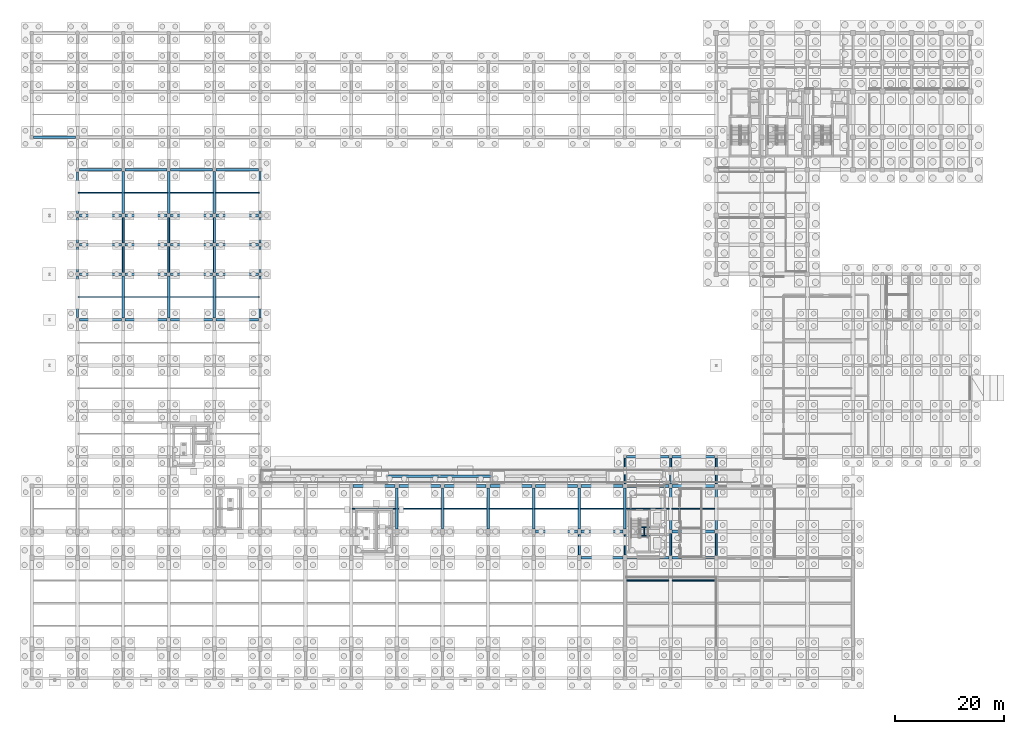
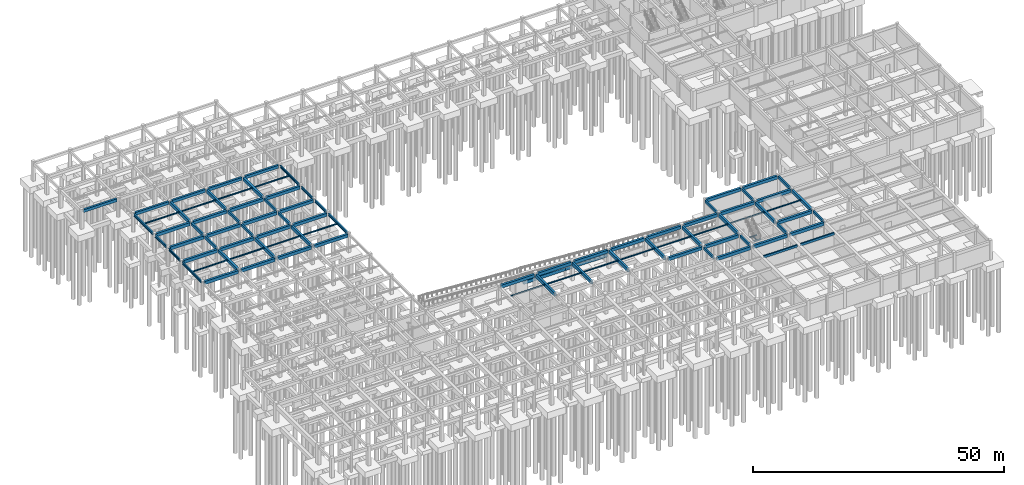
# One storey, part 28 of 49: 95 beams.
"""IFC4 building model written with IfcOpenShell, lengths in metres."""

from ifc_helpers import new_model, si_unit, direction, frame, origin, origin_2d, place, context, subcontext, project, spatial, rectangle, i_section, extrude, material, material_profile, profile_set, type_object, element, save


model = new_model("IFC4")

# Units and contexts
model_context = context("Model", 3, precision=1e-05, world=origin(), true_north=direction((0.0, 1.0)))
body_context = subcontext(model_context, "Body", "Model", "MODEL_VIEW")
ifc_project = project(units=[si_unit("LENGTHUNIT", "METRE"), si_unit("AREAUNIT", "SQUARE_METRE"), si_unit("VOLUMEUNIT", "CUBIC_METRE"), si_unit("PLANEANGLEUNIT", "RADIAN"), si_unit("MASSUNIT", "GRAM", prefix="KILO")], contexts=[model_context])

# Site, building, storey
site_placement = place(None, origin())
site = spatial("IfcSite", under=ifc_project, at=site_placement, CompositionType="ELEMENT")
building_placement = place(site_placement, origin())
building = spatial("IfcBuilding", under=site, at=building_placement, Name="Krzemoval Escarpment Law Courts", CompositionType="ELEMENT")
storey_placement = place(building_placement, frame((0.0, 0.0, -4.800048828125)))
storey = spatial("IfcBuildingStorey", under=building, at=storey_placement, Name="B1", CompositionType="ELEMENT", Elevation=-4.800048828125)

# Beams
ifc_material_1 = material(Name="Concrete C40/50", Category="concrete")
ifc_material_profile_1 = material_profile(ifc_material_1, rectangle(XDim=0.35009765625, YDim=0.64990234375, at=origin_2d()), Name="RCB 350x650")
ifc_profile_set_1 = profile_set([ifc_material_profile_1], Name="Concrete C40/50")
beam_type_1 = type_object("IfcBeamType", Name="BM-RC-350x650", PredefinedType="BEAM", material=ifc_profile_set_1)
for number, where, z_axis, x_axis, name in (
    (1, (16.800048828125, 74.72509765625, 4.175048828125), (0.0, 1.0, 0.0), (-1.0, 0.0, 0.0), "Beam FG-B1-0271"),
    (2, (16.800048828125, 80.125, 4.175048828125), (0.0, 1.0, 0.0), (-1.0, 0.0, 0.0), "Beam FG-B1-0272"),
    (3, (25.199951171875, 74.72509765625, 4.175048828125), (0.0, 1.0, 0.0), (-1.0, 0.0, 0.0), "Beam FG-B1-0287"),
    (4, (25.199951171875, 80.125, 4.175048828125), (0.0, 1.0, 0.0), (-1.0, 0.0, 0.0), "Beam FG-B1-0288"),
    (5, (33.60009765625, 74.72509765625, 4.175048828125), (0.0, 1.0, 0.0), (-1.0, 0.0, 0.0), "Beam FG-B1-0303"),
    (6, (33.60009765625, 80.125, 4.175048828125), (0.0, 1.0, 0.0), (-1.0, 0.0, 0.0), "Beam FG-B1-0304"),
):
    element("IfcBeam", number, at=place(storey_placement, frame(where, z_axis=z_axis, x_axis=x_axis)), inside=storey, type_object=beam_type_1, Name=name, PredefinedType="BEAM", context=body_context, shape_type="SweptSolid", body=[
        extrude(rectangle(XDim=0.35009765625, YDim=0.64990234375, at=origin_2d()), origin(), (0.0, 0.0, 1.0), 4.75),
    ])
for number, where, z_axis, x_axis, name in (
    (7, (100.800048828125, 22.699951171875, 4.175048828125), (0.0, 1.0, 0.0), (-1.0, 0.0, 0.0), "Beam FG-B1-0364"),
    (8, (109.199951171875, 22.699951171875, 4.175048828125), (0.0, 1.0, 0.0), (-1.0, 0.0, 0.0), "Beam FG-B1-0370"),
):
    element("IfcBeam", number, at=place(storey_placement, frame(where, z_axis=z_axis, x_axis=x_axis)), inside=storey, type_object=beam_type_1, Name=name, PredefinedType="BEAM", context=body_context, shape_type="SweptSolid", body=[
        extrude(rectangle(XDim=0.35009765625, YDim=0.64990234375, at=origin_2d()), origin(), (0.0, 0.0, 1.0), 3.800048828125),
    ])
beam_1_placement = place(storey_placement, frame((109.199951171875, 35.75, 4.175048828125), z_axis=(0.0, 1.0, 0.0), x_axis=(-1.0, 0.0, 0.0)))
element("IfcBeam", 9, at=beam_1_placement, inside=storey, type_object=beam_type_1, Name="Beam FG-B1-0372", PredefinedType="BEAM", context=body_context, shape_type="SweptSolid", body=[
    extrude(rectangle(XDim=0.35009765625, YDim=0.64990234375, at=origin_2d()), origin(), (0.0, 0.0, 1.0), 4.77490234375),
])
beam_2_placement = place(storey_placement, frame((117.60009765625, 22.60009765625, 4.175048828125), z_axis=(0.0, 1.0, 0.0), x_axis=(-1.0, 0.0, 0.0)))
element("IfcBeam", 10, at=beam_2_placement, inside=storey, type_object=beam_type_1, Name="Beam FG-B1-0377", PredefinedType="BEAM", context=body_context, shape_type="SweptSolid", body=[
    extrude(rectangle(XDim=0.35009765625, YDim=0.64990234375, at=origin_2d()), origin(), (0.0, 0.0, 1.0), 4.0),
])
beam_3_placement = place(storey_placement, frame((117.60009765625, 35.800048828125, 4.175048828125), z_axis=(0.0, 1.0, 0.0), x_axis=(-1.0, 0.0, 0.0)))
element("IfcBeam", 11, at=beam_3_placement, inside=storey, type_object=beam_type_1, Name="Beam FG-B1-0379", PredefinedType="BEAM", context=body_context, shape_type="SweptSolid", body=[
    extrude(rectangle(XDim=0.35009765625, YDim=0.64990234375, at=origin_2d()), origin(), (0.0, 0.0, 1.0), 4.724853515625),
])
beam_4_placement = place(storey_placement, frame((126.0, 22.60009765625, 4.175048828125), z_axis=(0.0, 1.0, 0.0), x_axis=(-1.0, 0.0, 0.0)))
element("IfcBeam", 12, at=beam_4_placement, inside=storey, type_object=beam_type_1, Name="Beam FG-B1-0384", PredefinedType="BEAM", context=body_context, shape_type="SweptSolid", body=[
    extrude(rectangle(XDim=0.35009765625, YDim=0.64990234375, at=origin_2d()), origin(), (0.0, 0.0, 1.0), 4.0),
])
beam_5_placement = place(storey_placement, frame((126.0, 35.800048828125, 4.175048828125), z_axis=(0.0, 1.0, 0.0), x_axis=(-1.0, 0.0, 0.0)))
element("IfcBeam", 13, at=beam_5_placement, inside=storey, type_object=beam_type_1, Name="Beam FG-B1-0386", PredefinedType="BEAM", context=body_context, shape_type="SweptSolid", body=[
    extrude(rectangle(XDim=0.35009765625, YDim=0.64990234375, at=origin_2d()), origin(), (0.0, 0.0, 1.0), 4.724853515625),
])
ifc_material_2 = material(Name="Concrete C40/50", Category="concrete")
ifc_material_profile_2 = material_profile(ifc_material_2, rectangle(XDim=0.449951171875, YDim=0.699951171875, at=origin_2d()), Name="RCB 450x700")
ifc_profile_set_2 = profile_set([ifc_material_profile_2], Name="Concrete C40/50")
beam_type_2 = type_object("IfcBeamType", Name="BM-RC-450x700", PredefinedType="BEAM", material=ifc_profile_set_2)
beam_6_placement = place(storey_placement, frame((8.77490234375, 93.60009765625, 4.150146484375), z_axis=(1.0, 0.0, 0.0), x_axis=(0.0, 1.0, 0.0)))
element("IfcBeam", 14, at=beam_6_placement, inside=storey, type_object=beam_type_2, Name="Beam FG-B1-0156", PredefinedType="BEAM", context=body_context, shape_type="SweptSolid", body=[
    extrude(rectangle(XDim=0.449951171875, YDim=0.699951171875, at=origin_2d()), origin(), (0.0, 0.0, 1.0), 7.7001953125),
])
for number, where, z_axis, x_axis, name in (
    (15, (17.125, 93.60009765625, 4.150146484375), (1.0, 0.0, 0.0), (0.0, 1.0, 0.0), "Beam FG-B1-0157"),
    (16, (25.52490234375, 93.60009765625, 4.150146484375), (1.0, 0.0, 0.0), (0.0, 1.0, 0.0), "Beam FG-B1-0158"),
    (17, (33.925048828125, 93.60009765625, 4.150146484375), (1.0, 0.0, 0.0), (0.0, 1.0, 0.0), "Beam FG-B1-0159"),
):
    element("IfcBeam", number, at=place(storey_placement, frame(where, z_axis=z_axis, x_axis=x_axis)), inside=storey, type_object=beam_type_2, Name=name, PredefinedType="BEAM", context=body_context, shape_type="SweptSolid", body=[
        extrude(rectangle(XDim=0.449951171875, YDim=0.699951171875, at=origin_2d()), origin(), (0.0, 0.0, 1.0), 7.75),
    ])
beam_7_placement = place(storey_placement, frame((0.324951171875, 99.60009765625, 4.150146484375), z_axis=(1.0, 0.0, 0.0), x_axis=(0.0, 1.0, 0.0)))
element("IfcBeam", 18, at=beam_7_placement, inside=storey, type_object=beam_type_2, Name="Beam FG-B1-0167", PredefinedType="BEAM", context=body_context, shape_type="SweptSolid", body=[
    extrude(rectangle(XDim=0.449951171875, YDim=0.699951171875, at=origin_2d()), origin(), (0.0, 0.0, 1.0), 7.699951171875),
])
ifc_material_3 = material(Name="Concrete C40/50", Category="concrete")
ifc_material_profile_3 = material_profile(ifc_material_3, rectangle(XDim=0.449951171875, YDim=0.800048828125, at=origin_2d()), Name="RCB 450x800")
ifc_profile_set_3 = profile_set([ifc_material_profile_3], Name="Concrete C40/50")
beam_type_3 = type_object("IfcBeamType", Name="BM-RC-450x800", PredefinedType="BEAM", material=ifc_profile_set_3)
for number, where, z_axis, x_axis, name in (
    (19, (16.800048828125, 66.324951171875, 4.10009765625), (0.0, 1.0, 0.0), (-1.0, 0.0, 0.0), "Beam FG-B1-0270"),
    (20, (16.800048828125, 85.52490234375, 4.10009765625), (0.0, 1.0, 0.0), (-1.0, 0.0, 0.0), "Beam FG-B1-0273"),
    (21, (25.199951171875, 66.324951171875, 4.10009765625), (0.0, 1.0, 0.0), (-1.0, 0.0, 0.0), "Beam FG-B1-0286"),
    (22, (25.199951171875, 85.52490234375, 4.10009765625), (0.0, 1.0, 0.0), (-1.0, 0.0, 0.0), "Beam FG-B1-0289"),
    (23, (33.60009765625, 66.324951171875, 4.10009765625), (0.0, 1.0, 0.0), (-1.0, 0.0, 0.0), "Beam FG-B1-0302"),
    (24, (33.60009765625, 85.52490234375, 4.10009765625), (0.0, 1.0, 0.0), (-1.0, 0.0, 0.0), "Beam FG-B1-0305"),
):
    element("IfcBeam", number, at=place(storey_placement, frame(where, z_axis=z_axis, x_axis=x_axis)), inside=storey, type_object=beam_type_3, Name=name, PredefinedType="BEAM", context=body_context, shape_type="SweptSolid", body=[
        extrude(rectangle(XDim=0.449951171875, YDim=0.800048828125, at=origin_2d()), origin(), (0.0, 0.0, 1.0), 7.75),
    ])
for number, where, z_axis, x_axis, name in (
    (25, (67.199951171875, 27.5, 4.10009765625), (0.0, 1.0, 0.0), (-1.0, 0.0, 0.0), "Beam FG-B1-0341"),
    (26, (75.60009765625, 27.5, 4.10009765625), (0.0, 1.0, 0.0), (-1.0, 0.0, 0.0), "Beam FG-B1-0347"),
    (27, (84.0, 27.5, 4.10009765625), (0.0, 1.0, 0.0), (-1.0, 0.0, 0.0), "Beam FG-B1-0353"),
    (28, (92.39990234375, 27.5, 4.10009765625), (0.0, 1.0, 0.0), (-1.0, 0.0, 0.0), "Beam FG-B1-0359"),
    (29, (100.800048828125, 27.5, 4.10009765625), (0.0, 1.0, 0.0), (-1.0, 0.0, 0.0), "Beam FG-B1-0365"),
    (30, (109.199951171875, 27.5, 4.10009765625), (0.0, 1.0, 0.0), (-1.0, 0.0, 0.0), "Beam FG-B1-0371"),
):
    element("IfcBeam", number, at=place(storey_placement, frame(where, z_axis=z_axis, x_axis=x_axis)), inside=storey, type_object=beam_type_3, Name=name, PredefinedType="BEAM", context=body_context, shape_type="SweptSolid", body=[
        extrude(rectangle(XDim=0.449951171875, YDim=0.800048828125, at=origin_2d()), origin(), (0.0, 0.0, 1.0), 7.550048828125),
    ])
for number, where, z_axis, x_axis, name in (
    (31, (117.60009765625, 27.39990234375, 4.10009765625), (0.0, 1.0, 0.0), (-1.0, 0.0, 0.0), "Beam FG-B1-0378"),
    (32, (126.0, 27.39990234375, 4.10009765625), (0.0, 1.0, 0.0), (-1.0, 0.0, 0.0), "Beam FG-B1-0385"),
):
    element("IfcBeam", number, at=place(storey_placement, frame(where, z_axis=z_axis, x_axis=x_axis)), inside=storey, type_object=beam_type_3, Name=name, PredefinedType="BEAM", context=body_context, shape_type="SweptSolid", body=[
        extrude(rectangle(XDim=0.449951171875, YDim=0.800048828125, at=origin_2d()), origin(), (0.0, 0.0, 1.0), 7.60009765625),
    ])
ifc_material_4 = material(Name="Concrete C40/50", Category="concrete")
ifc_material_profile_4 = material_profile(ifc_material_4, rectangle(XDim=0.5, YDim=0.75, at=origin_2d()), Name="RCB 500x750")
ifc_profile_set_4 = profile_set([ifc_material_profile_4], Name="Concrete C40/50")
beam_type_4 = type_object("IfcBeamType", Name="BM-RC-500x750", PredefinedType="BEAM", material=ifc_profile_set_4)
beam_8_placement = place(storey_placement, frame((101.14990234375, 22.199951171875, 4.125), z_axis=(1.0, 0.0, 0.0), x_axis=(0.0, 1.0, 0.0)))
element("IfcBeam", 33, at=beam_8_placement, inside=storey, type_object=beam_type_4, Name="Beam FG-B1-0049", PredefinedType="BEAM", context=body_context, shape_type="SweptSolid", body=[
    extrude(rectangle(XDim=0.5, YDim=0.75, at=origin_2d()), origin(), (0.0, 0.0, 1.0), 7.7001953125),
])
beam_9_placement = place(storey_placement, frame((109.550048828125, 22.199951171875, 4.125), z_axis=(1.0, 0.0, 0.0), x_axis=(0.0, 1.0, 0.0)))
element("IfcBeam", 34, at=beam_9_placement, inside=storey, type_object=beam_type_4, Name="Beam FG-B1-0050", PredefinedType="BEAM", context=body_context, shape_type="SweptSolid", body=[
    extrude(rectangle(XDim=0.5, YDim=0.75, at=origin_2d()), origin(), (0.0, 0.0, 1.0), 7.75),
])
beam_10_placement = place(storey_placement, frame((117.89990234375, 22.199951171875, 4.125), z_axis=(1.0, 0.0, 0.0), x_axis=(0.0, 1.0, 0.0)))
element("IfcBeam", 35, at=beam_10_placement, inside=storey, type_object=beam_type_4, Name="Beam FG-B1-0051", PredefinedType="BEAM", context=body_context, shape_type="SweptSolid", body=[
    extrude(rectangle(XDim=0.5, YDim=0.75, at=origin_2d()), origin(), (0.0, 0.0, 1.0), 7.800048828125),
])
beam_11_placement = place(storey_placement, frame((92.75, 27.0, 4.125), z_axis=(1.0, 0.0, 0.0), x_axis=(0.0, 1.0, 0.0)))
element("IfcBeam", 36, at=beam_11_placement, inside=storey, type_object=beam_type_4, Name="Beam FG-B1-0066", PredefinedType="BEAM", context=body_context, shape_type="SweptSolid", body=[
    extrude(rectangle(XDim=0.5, YDim=0.75, at=origin_2d()), origin(), (0.0, 0.0, 1.0), 7.699951171875),
])
beam_12_placement = place(storey_placement, frame((101.14990234375, 27.0, 4.125), z_axis=(1.0, 0.0, 0.0), x_axis=(0.0, 1.0, 0.0)))
element("IfcBeam", 37, at=beam_12_placement, inside=storey, type_object=beam_type_4, Name="Beam FG-B1-0067", PredefinedType="BEAM", context=body_context, shape_type="SweptSolid", body=[
    extrude(rectangle(XDim=0.5, YDim=0.75, at=origin_2d()), origin(), (0.0, 0.0, 1.0), 7.7001953125),
])
beam_13_placement = place(storey_placement, frame((117.89990234375, 27.0, 4.125), z_axis=(1.0, 0.0, 0.0), x_axis=(0.0, 1.0, 0.0)))
element("IfcBeam", 38, at=beam_13_placement, inside=storey, type_object=beam_type_4, Name="Beam FG-B1-0068", PredefinedType="BEAM", context=body_context, shape_type="SweptSolid", body=[
    extrude(rectangle(XDim=0.5, YDim=0.75, at=origin_2d()), origin(), (0.0, 0.0, 1.0), 7.800048828125),
])
beam_14_placement = place(storey_placement, frame((59.14990234375, 35.39990234375, 4.125), z_axis=(1.0, 0.0, 0.0), x_axis=(0.0, 1.0, 0.0)))
element("IfcBeam", 39, at=beam_14_placement, inside=storey, type_object=beam_type_4, Name="Beam FG-B1-0079", PredefinedType="BEAM", context=body_context, shape_type="SweptSolid", body=[
    extrude(rectangle(XDim=0.5, YDim=0.75, at=origin_2d()), origin(), (0.0, 0.0, 1.0), 7.7001953125),
])
for number, where, z_axis, x_axis, name in (
    (40, (67.550048828125, 35.39990234375, 4.125), (1.0, 0.0, 0.0), (0.0, 1.0, 0.0), "Beam FG-B1-0080"),
    (41, (75.949951171875, 35.39990234375, 4.125), (1.0, 0.0, 0.0), (0.0, 1.0, 0.0), "Beam FG-B1-0081"),
    (42, (84.35009765625, 35.39990234375, 4.125), (1.0, 0.0, 0.0), (0.0, 1.0, 0.0), "Beam FG-B1-0082"),
    (43, (92.75, 35.39990234375, 4.125), (1.0, 0.0, 0.0), (0.0, 1.0, 0.0), "Beam FG-B1-0083"),
):
    element("IfcBeam", number, at=place(storey_placement, frame(where, z_axis=z_axis, x_axis=x_axis)), inside=storey, type_object=beam_type_4, Name=name, PredefinedType="BEAM", context=body_context, shape_type="SweptSolid", body=[
        extrude(rectangle(XDim=0.5, YDim=0.75, at=origin_2d()), origin(), (0.0, 0.0, 1.0), 7.699951171875),
    ])
beam_15_placement = place(storey_placement, frame((101.14990234375, 35.39990234375, 4.125), z_axis=(1.0, 0.0, 0.0), x_axis=(0.0, 1.0, 0.0)))
element("IfcBeam", 44, at=beam_15_placement, inside=storey, type_object=beam_type_4, Name="Beam FG-B1-0084", PredefinedType="BEAM", context=body_context, shape_type="SweptSolid", body=[
    extrude(rectangle(XDim=0.5, YDim=0.75, at=origin_2d()), origin(), (0.0, 0.0, 1.0), 7.7001953125),
])
beam_16_placement = place(storey_placement, frame((109.550048828125, 35.39990234375, 4.125), z_axis=(1.0, 0.0, 0.0), x_axis=(0.0, 1.0, 0.0)))
element("IfcBeam", 45, at=beam_16_placement, inside=storey, type_object=beam_type_4, Name="Beam FG-B1-0085", PredefinedType="BEAM", context=body_context, shape_type="SweptSolid", body=[
    extrude(rectangle(XDim=0.5, YDim=0.75, at=origin_2d()), origin(), (0.0, 0.0, 1.0), 7.75),
])
beam_17_placement = place(storey_placement, frame((117.89990234375, 35.39990234375, 4.125), z_axis=(1.0, 0.0, 0.0), x_axis=(0.0, 1.0, 0.0)))
element("IfcBeam", 46, at=beam_17_placement, inside=storey, type_object=beam_type_4, Name="Beam FG-B1-0086", PredefinedType="BEAM", context=body_context, shape_type="SweptSolid", body=[
    extrude(rectangle(XDim=0.5, YDim=0.75, at=origin_2d()), origin(), (0.0, 0.0, 1.0), 7.800048828125),
])
beam_18_placement = place(storey_placement, frame((109.47509765625, 40.800048828125, 4.125), z_axis=(1.0, 0.0, 0.0), x_axis=(0.0, 1.0, 0.0)))
element("IfcBeam", 47, at=beam_18_placement, inside=storey, type_object=beam_type_4, Name="Beam FG-B1-0094", PredefinedType="BEAM", context=body_context, shape_type="SweptSolid", body=[
    extrude(rectangle(XDim=0.5, YDim=0.75, at=origin_2d()), origin(), (0.0, 0.0, 1.0), 7.849853515625),
])
beam_19_placement = place(storey_placement, frame((117.875, 40.800048828125, 4.125), z_axis=(1.0, 0.0, 0.0), x_axis=(0.0, 1.0, 0.0)))
element("IfcBeam", 48, at=beam_19_placement, inside=storey, type_object=beam_type_4, Name="Beam FG-B1-0095", PredefinedType="BEAM", context=body_context, shape_type="SweptSolid", body=[
    extrude(rectangle(XDim=0.5, YDim=0.75, at=origin_2d()), origin(), (0.0, 0.0, 1.0), 7.85009765625),
])
beam_20_placement = place(storey_placement, frame((8.77490234375, 66.0, 4.125), z_axis=(1.0, 0.0, 0.0), x_axis=(0.0, 1.0, 0.0)))
element("IfcBeam", 49, at=beam_20_placement, inside=storey, type_object=beam_type_4, Name="Beam FG-B1-0123", PredefinedType="BEAM", context=body_context, shape_type="SweptSolid", body=[
    extrude(rectangle(XDim=0.5, YDim=0.75, at=origin_2d()), origin(), (0.0, 0.0, 1.0), 7.7001953125),
])
for number, where, z_axis, x_axis, name in (
    (50, (17.125, 66.0, 4.125), (1.0, 0.0, 0.0), (0.0, 1.0, 0.0), "Beam FG-B1-0124"),
    (51, (25.52490234375, 66.0, 4.125), (1.0, 0.0, 0.0), (0.0, 1.0, 0.0), "Beam FG-B1-0125"),
    (52, (33.925048828125, 66.0, 4.125), (1.0, 0.0, 0.0), (0.0, 1.0, 0.0), "Beam FG-B1-0126"),
):
    element("IfcBeam", number, at=place(storey_placement, frame(where, z_axis=z_axis, x_axis=x_axis)), inside=storey, type_object=beam_type_4, Name=name, PredefinedType="BEAM", context=body_context, shape_type="SweptSolid", body=[
        extrude(rectangle(XDim=0.5, YDim=0.75, at=origin_2d()), origin(), (0.0, 0.0, 1.0), 7.75),
    ])
beam_21_placement = place(storey_placement, frame((8.77490234375, 74.39990234375, 4.125), z_axis=(1.0, 0.0, 0.0), x_axis=(0.0, 1.0, 0.0)))
element("IfcBeam", 53, at=beam_21_placement, inside=storey, type_object=beam_type_4, Name="Beam FG-B1-0133", PredefinedType="BEAM", context=body_context, shape_type="SweptSolid", body=[
    extrude(rectangle(XDim=0.5, YDim=0.75, at=origin_2d()), origin(), (0.0, 0.0, 1.0), 7.7001953125),
])
for number, where, z_axis, x_axis, name in (
    (54, (17.125, 74.39990234375, 4.125), (1.0, 0.0, 0.0), (0.0, 1.0, 0.0), "Beam FG-B1-0134"),
    (55, (25.52490234375, 74.39990234375, 4.125), (1.0, 0.0, 0.0), (0.0, 1.0, 0.0), "Beam FG-B1-0135"),
    (56, (33.925048828125, 74.39990234375, 4.125), (1.0, 0.0, 0.0), (0.0, 1.0, 0.0), "Beam FG-B1-0136"),
):
    element("IfcBeam", number, at=place(storey_placement, frame(where, z_axis=z_axis, x_axis=x_axis)), inside=storey, type_object=beam_type_4, Name=name, PredefinedType="BEAM", context=body_context, shape_type="SweptSolid", body=[
        extrude(rectangle(XDim=0.5, YDim=0.75, at=origin_2d()), origin(), (0.0, 0.0, 1.0), 7.75),
    ])
beam_22_placement = place(storey_placement, frame((8.77490234375, 79.800048828125, 4.125), z_axis=(1.0, 0.0, 0.0), x_axis=(0.0, 1.0, 0.0)))
element("IfcBeam", 57, at=beam_22_placement, inside=storey, type_object=beam_type_4, Name="Beam FG-B1-0144", PredefinedType="BEAM", context=body_context, shape_type="SweptSolid", body=[
    extrude(rectangle(XDim=0.5, YDim=0.75, at=origin_2d()), origin(), (0.0, 0.0, 1.0), 7.7001953125),
])
for number, where, z_axis, x_axis, name in (
    (58, (17.125, 79.800048828125, 4.125), (1.0, 0.0, 0.0), (0.0, 1.0, 0.0), "Beam FG-B1-0145"),
    (59, (25.52490234375, 79.800048828125, 4.125), (1.0, 0.0, 0.0), (0.0, 1.0, 0.0), "Beam FG-B1-0146"),
    (60, (33.925048828125, 79.800048828125, 4.125), (1.0, 0.0, 0.0), (0.0, 1.0, 0.0), "Beam FG-B1-0147"),
):
    element("IfcBeam", number, at=place(storey_placement, frame(where, z_axis=z_axis, x_axis=x_axis)), inside=storey, type_object=beam_type_4, Name=name, PredefinedType="BEAM", context=body_context, shape_type="SweptSolid", body=[
        extrude(rectangle(XDim=0.5, YDim=0.75, at=origin_2d()), origin(), (0.0, 0.0, 1.0), 7.75),
    ])
beam_23_placement = place(storey_placement, frame((8.77490234375, 85.199951171875, 4.125), z_axis=(1.0, 0.0, 0.0), x_axis=(0.0, 1.0, 0.0)))
element("IfcBeam", 61, at=beam_23_placement, inside=storey, type_object=beam_type_4, Name="Beam FG-B1-0150", PredefinedType="BEAM", context=body_context, shape_type="SweptSolid", body=[
    extrude(rectangle(XDim=0.5, YDim=0.75, at=origin_2d()), origin(), (0.0, 0.0, 1.0), 7.7001953125),
])
for number, where, z_axis, x_axis, name in (
    (62, (17.125, 85.199951171875, 4.125), (1.0, 0.0, 0.0), (0.0, 1.0, 0.0), "Beam FG-B1-0151"),
    (63, (25.52490234375, 85.199951171875, 4.125), (1.0, 0.0, 0.0), (0.0, 1.0, 0.0), "Beam FG-B1-0152"),
    (64, (33.925048828125, 85.199951171875, 4.125), (1.0, 0.0, 0.0), (0.0, 1.0, 0.0), "Beam FG-B1-0153"),
):
    element("IfcBeam", number, at=place(storey_placement, frame(where, z_axis=z_axis, x_axis=x_axis)), inside=storey, type_object=beam_type_4, Name=name, PredefinedType="BEAM", context=body_context, shape_type="SweptSolid", body=[
        extrude(rectangle(XDim=0.5, YDim=0.75, at=origin_2d()), origin(), (0.0, 0.0, 1.0), 7.75),
    ])
for number, where, z_axis, x_axis, name in (
    (65, (65.39990234375, 37.199951171875, 1.804931640625), (1.0, 0.0, 0.0), (0.0, 1.0, 0.0), "Ramp Longitudinal Support Girder RHB-2856"),
    (66, (75.0, 37.199951171875, 1.804931640625), (1.0, 0.0, 0.0), (0.0, 1.0, 0.0), "Ramp Longitudinal Support Girder RHB-2857"),
):
    element("IfcBeam", number, at=place(storey_placement, frame(where, z_axis=z_axis, x_axis=x_axis)), inside=storey, type_object=beam_type_4, Name=name, PredefinedType="BEAM", context=body_context, shape_type="SweptSolid", body=[
        extrude(rectangle(XDim=0.5, YDim=0.75, at=origin_2d()), origin(), (0.0, 0.0, 1.0), 9.60009765625),
    ])
ifc_material_5 = material(Name="Concrete C40/50", Category="concrete")
ifc_material_profile_5 = material_profile(ifc_material_5, rectangle(XDim=0.300048828125, YDim=0.550048828125, at=origin_2d()), Name="RCB 300x550")
ifc_profile_set_5 = profile_set([ifc_material_profile_5], Name="Concrete C40/50")
beam_type_5 = type_object("IfcBeamType", Name="JST-RC-300x550", PredefinedType="JOIST", material=ifc_profile_set_5)
for number, where, z_axis, x_axis, name in (
    (67, (109.52490234375, 18.0, 4.22509765625), (1.0, 0.0, 0.0), (0.0, 1.0, 0.0), "Secondary Joist FJ-B1-0557"),
    (68, (117.925048828125, 18.0, 4.22509765625), (1.0, 0.0, 0.0), (0.0, 1.0, 0.0), "Secondary Joist FJ-B1-0562"),
):
    element("IfcBeam", number, at=place(storey_placement, frame(where, z_axis=z_axis, x_axis=x_axis)), inside=storey, type_object=beam_type_5, Name=name, PredefinedType="JOIST", context=body_context, shape_type="SweptSolid", body=[
        extrude(rectangle(XDim=0.300048828125, YDim=0.550048828125, at=origin_2d()), origin(), (0.0, 0.0, 1.0), 7.75),
    ])
ifc_material_6 = material(Name="Steel S355", Category="steel")
ifc_material_profile_6 = material_profile(ifc_material_6, i_section(OverallWidth=0.14990234375, OverallDepth=0.300048828125, WebThickness=0.007080078125, FlangeThickness=0.0107421875, at=origin_2d()), Name="IPE 300")
ifc_profile_set_6 = profile_set([ifc_material_profile_6], Name="Steel S355")
beam_type_6 = type_object("IfcBeamType", Name="JST-S355-IPE300", PredefinedType="JOIST", material=ifc_profile_set_6)
beam_24_placement = place(storey_placement, frame((59.02490234375, 31.199951171875, 4.35009765625), z_axis=(1.0, 0.0, 0.0), x_axis=(0.0, 1.0, 0.0)))
element("IfcBeam", 69, at=beam_24_placement, inside=storey, type_object=beam_type_6, Name="Secondary Joist FJ-B1-0528", PredefinedType="JOIST", context=body_context, shape_type="SweptSolid", body=[
    extrude(i_section(OverallWidth=0.14990234375, OverallDepth=0.300048828125, WebThickness=0.007080078125, FlangeThickness=0.0107421875, at=origin_2d()), origin(), (0.0, 0.0, 1.0), 7.9501953125),
])
for number, where, z_axis, x_axis, name in (
    (70, (67.425048828125, 31.199951171875, 4.35009765625), (1.0, 0.0, 0.0), (0.0, 1.0, 0.0), "Secondary Joist FJ-B1-0533"),
    (71, (75.824951171875, 31.199951171875, 4.35009765625), (1.0, 0.0, 0.0), (0.0, 1.0, 0.0), "Secondary Joist FJ-B1-0538"),
    (72, (84.22509765625, 31.199951171875, 4.35009765625), (1.0, 0.0, 0.0), (0.0, 1.0, 0.0), "Secondary Joist FJ-B1-0543"),
    (73, (92.625, 31.199951171875, 4.35009765625), (1.0, 0.0, 0.0), (0.0, 1.0, 0.0), "Secondary Joist FJ-B1-0548"),
):
    element("IfcBeam", number, at=place(storey_placement, frame(where, z_axis=z_axis, x_axis=x_axis)), inside=storey, type_object=beam_type_6, Name=name, PredefinedType="JOIST", context=body_context, shape_type="SweptSolid", body=[
        extrude(i_section(OverallWidth=0.14990234375, OverallDepth=0.300048828125, WebThickness=0.007080078125, FlangeThickness=0.0107421875, at=origin_2d()), origin(), (0.0, 0.0, 1.0), 7.949951171875),
    ])
beam_25_placement = place(storey_placement, frame((101.02490234375, 31.199951171875, 4.35009765625), z_axis=(1.0, 0.0, 0.0), x_axis=(0.0, 1.0, 0.0)))
element("IfcBeam", 74, at=beam_25_placement, inside=storey, type_object=beam_type_6, Name="Secondary Joist FJ-B1-0553", PredefinedType="JOIST", context=body_context, shape_type="SweptSolid", body=[
    extrude(i_section(OverallWidth=0.14990234375, OverallDepth=0.300048828125, WebThickness=0.007080078125, FlangeThickness=0.0107421875, at=origin_2d()), origin(), (0.0, 0.0, 1.0), 7.9501953125),
])
for number, where, z_axis, x_axis, name in (
    (75, (109.425048828125, 31.199951171875, 4.35009765625), (1.0, 0.0, 0.0), (0.0, 1.0, 0.0), "Secondary Joist FJ-B1-0558"),
    (76, (117.824951171875, 31.199951171875, 4.35009765625), (1.0, 0.0, 0.0), (0.0, 1.0, 0.0), "Secondary Joist FJ-B1-0563"),
):
    element("IfcBeam", number, at=place(storey_placement, frame(where, z_axis=z_axis, x_axis=x_axis)), inside=storey, type_object=beam_type_6, Name=name, PredefinedType="JOIST", context=body_context, shape_type="SweptSolid", body=[
        extrude(i_section(OverallWidth=0.14990234375, OverallDepth=0.300048828125, WebThickness=0.007080078125, FlangeThickness=0.0107421875, at=origin_2d()), origin(), (0.0, 0.0, 1.0), 7.949951171875),
    ])
for number, where, z_axis, x_axis, name in (
    (77, (111.89990234375, 26.219970703125, 2.1201171875), (1.0, 0.0, 0.0), (0.0, 1.0, 0.0), "Stair Well Crosshead SLHW-C6-B1-1"),
    (78, (111.89990234375, 27.820068359375, 2.1201171875), (1.0, 0.0, 0.0), (0.0, 1.0, 0.0), "Stair Well Crosshead SLHW-C6-B1-2"),
):
    element("IfcBeam", number, at=place(storey_placement, frame(where, z_axis=z_axis, x_axis=x_axis)), inside=storey, type_object=beam_type_6, Name=name, PredefinedType="JOIST", context=body_context, shape_type="SweptSolid", body=[
        extrude(i_section(OverallWidth=0.14990234375, OverallDepth=0.300048828125, WebThickness=0.007080078125, FlangeThickness=0.0107421875, at=origin_2d()), origin(), (0.0, 0.0, 1.0), 1.760009765625),
    ])
beam_26_placement = place(storey_placement, frame((112.75, 26.219970703125, 2.1201171875), z_axis=(0.0, 1.0, 0.0), x_axis=(-1.0, 0.0, 0.0)))
element("IfcBeam", 79, at=beam_26_placement, inside=storey, type_object=beam_type_6, Name="Stair Flight Support Stringer SLTW-C6-B1", PredefinedType="JOIST", context=body_context, shape_type="SweptSolid", body=[
    extrude(i_section(OverallWidth=0.14990234375, OverallDepth=0.300048828125, WebThickness=0.007080078125, FlangeThickness=0.0107421875, at=origin_2d()), origin(), (0.0, 0.0, 1.0), 1.60009765625),
])
ifc_material_7 = material(Name="Steel S355", Category="steel")
ifc_material_profile_7 = material_profile(ifc_material_7, i_section(OverallWidth=0.159912109375, OverallDepth=0.330078125, WebThickness=0.007568359375, FlangeThickness=0.011474609375, at=origin_2d()), Name="IPE 330")
ifc_profile_set_7 = profile_set([ifc_material_profile_7], Name="Steel S355")
beam_type_7 = type_object("IfcBeamType", Name="JST-S355-IPE330", PredefinedType="JOIST", material=ifc_profile_set_7)
for number, where, z_axis, x_axis, name in (
    (80, (8.550048828125, 70.199951171875, 4.3349609375), (1.0, 0.0, 0.0), (0.0, 1.0, 0.0), "Secondary Joist FJ-B1-0482"),
    (81, (8.550048828125, 89.39990234375, 4.3349609375), (1.0, 0.0, 0.0), (0.0, 1.0, 0.0), "Secondary Joist FJ-B1-0483"),
):
    element("IfcBeam", number, at=place(storey_placement, frame(where, z_axis=z_axis, x_axis=x_axis)), inside=storey, type_object=beam_type_7, Name=name, PredefinedType="JOIST", context=body_context, shape_type="SweptSolid", body=[
        extrude(i_section(OverallWidth=0.159912109375, OverallDepth=0.330078125, WebThickness=0.007568359375, FlangeThickness=0.011474609375, at=origin_2d()), origin(), (0.0, 0.0, 1.0), 8.02490234375),
    ])
for number, where, z_axis, x_axis, name in (
    (82, (17.02490234375, 70.199951171875, 4.3349609375), (1.0, 0.0, 0.0), (0.0, 1.0, 0.0), "Secondary Joist FJ-B1-0492"),
    (83, (17.02490234375, 89.39990234375, 4.3349609375), (1.0, 0.0, 0.0), (0.0, 1.0, 0.0), "Secondary Joist FJ-B1-0493"),
):
    element("IfcBeam", number, at=place(storey_placement, frame(where, z_axis=z_axis, x_axis=x_axis)), inside=storey, type_object=beam_type_7, Name=name, PredefinedType="JOIST", context=body_context, shape_type="SweptSolid", body=[
        extrude(i_section(OverallWidth=0.159912109375, OverallDepth=0.330078125, WebThickness=0.007568359375, FlangeThickness=0.011474609375, at=origin_2d()), origin(), (0.0, 0.0, 1.0), 7.9501953125),
    ])
for number, where, z_axis, x_axis, name in (
    (84, (25.425048828125, 70.199951171875, 4.3349609375), (1.0, 0.0, 0.0), (0.0, 1.0, 0.0), "Secondary Joist FJ-B1-0502"),
    (85, (25.425048828125, 89.39990234375, 4.3349609375), (1.0, 0.0, 0.0), (0.0, 1.0, 0.0), "Secondary Joist FJ-B1-0503"),
):
    element("IfcBeam", number, at=place(storey_placement, frame(where, z_axis=z_axis, x_axis=x_axis)), inside=storey, type_object=beam_type_7, Name=name, PredefinedType="JOIST", context=body_context, shape_type="SweptSolid", body=[
        extrude(i_section(OverallWidth=0.159912109375, OverallDepth=0.330078125, WebThickness=0.007568359375, FlangeThickness=0.011474609375, at=origin_2d()), origin(), (0.0, 0.0, 1.0), 7.949951171875),
    ])
for number, where, z_axis, x_axis, name in (
    (86, (33.824951171875, 70.199951171875, 4.3349609375), (1.0, 0.0, 0.0), (0.0, 1.0, 0.0), "Secondary Joist FJ-B1-0512"),
    (87, (33.824951171875, 89.39990234375, 4.3349609375), (1.0, 0.0, 0.0), (0.0, 1.0, 0.0), "Secondary Joist FJ-B1-0513"),
):
    element("IfcBeam", number, at=place(storey_placement, frame(where, z_axis=z_axis, x_axis=x_axis)), inside=storey, type_object=beam_type_7, Name=name, PredefinedType="JOIST", context=body_context, shape_type="SweptSolid", body=[
        extrude(i_section(OverallWidth=0.159912109375, OverallDepth=0.330078125, WebThickness=0.007568359375, FlangeThickness=0.011474609375, at=origin_2d()), origin(), (0.0, 0.0, 1.0), 8.025146484375),
    ])
ifc_material_8 = material(Name="Steel S355", Category="steel")
ifc_material_profile_8 = material_profile(ifc_material_8, i_section(OverallWidth=0.300048828125, OverallDepth=0.60009765625, WebThickness=0.015380859375, FlangeThickness=0.030029296875, at=origin_2d()), Name="HEB 600")
ifc_profile_set_8 = profile_set([ifc_material_profile_8], Name="Steel S355")
beam_type_8 = type_object("IfcBeamType", Name="SPN-S355-HEB600", PredefinedType="SPANDREL", material=ifc_profile_set_8)
beam_27_placement = place(storey_placement, frame((8.39990234375, 66.375, 4.199951171875), z_axis=(0.0, 1.0, 0.0), x_axis=(-1.0, 0.0, 0.0)))
element("IfcBeam", 88, at=beam_27_placement, inside=storey, type_object=beam_type_8, Name="Beam FG-B1-0254", PredefinedType="SPANDREL", context=body_context, shape_type="SweptSolid", body=[
    extrude(i_section(OverallWidth=0.300048828125, OverallDepth=0.60009765625, WebThickness=0.015380859375, FlangeThickness=0.030029296875, at=origin_2d()), origin(), (0.0, 0.0, 1.0), 7.64990234375),
])
beam_28_placement = place(storey_placement, frame((8.39990234375, 74.77490234375, 4.199951171875), z_axis=(0.0, 1.0, 0.0), x_axis=(-1.0, 0.0, 0.0)))
element("IfcBeam", 89, at=beam_28_placement, inside=storey, type_object=beam_type_8, Name="Beam FG-B1-0255", PredefinedType="SPANDREL", context=body_context, shape_type="SweptSolid", body=[
    extrude(i_section(OverallWidth=0.300048828125, OverallDepth=0.60009765625, WebThickness=0.015380859375, FlangeThickness=0.030029296875, at=origin_2d()), origin(), (0.0, 0.0, 1.0), 4.650146484375),
])
beam_29_placement = place(storey_placement, frame((8.39990234375, 80.175048828125, 4.199951171875), z_axis=(0.0, 1.0, 0.0), x_axis=(-1.0, 0.0, 0.0)))
element("IfcBeam", 90, at=beam_29_placement, inside=storey, type_object=beam_type_8, Name="Beam FG-B1-0256", PredefinedType="SPANDREL", context=body_context, shape_type="SweptSolid", body=[
    extrude(i_section(OverallWidth=0.300048828125, OverallDepth=0.60009765625, WebThickness=0.015380859375, FlangeThickness=0.030029296875, at=origin_2d()), origin(), (0.0, 0.0, 1.0), 4.64990234375),
])
beam_30_placement = place(storey_placement, frame((8.39990234375, 85.574951171875, 4.199951171875), z_axis=(0.0, 1.0, 0.0), x_axis=(-1.0, 0.0, 0.0)))
element("IfcBeam", 91, at=beam_30_placement, inside=storey, type_object=beam_type_8, Name="Beam FG-B1-0257", PredefinedType="SPANDREL", context=body_context, shape_type="SweptSolid", body=[
    extrude(i_section(OverallWidth=0.300048828125, OverallDepth=0.60009765625, WebThickness=0.015380859375, FlangeThickness=0.030029296875, at=origin_2d()), origin(), (0.0, 0.0, 1.0), 7.650146484375),
])
beam_31_placement = place(storey_placement, frame((42.0, 66.324951171875, 4.199951171875), z_axis=(0.0, 1.0, 0.0), x_axis=(-1.0, 0.0, 0.0)))
element("IfcBeam", 92, at=beam_31_placement, inside=storey, type_object=beam_type_8, Name="Beam FG-B1-0318", PredefinedType="SPANDREL", context=body_context, shape_type="SweptSolid", body=[
    extrude(i_section(OverallWidth=0.300048828125, OverallDepth=0.60009765625, WebThickness=0.015380859375, FlangeThickness=0.030029296875, at=origin_2d()), origin(), (0.0, 0.0, 1.0), 7.75),
])
for number, where, z_axis, x_axis, name in (
    (93, (42.0, 74.72509765625, 4.199951171875), (0.0, 1.0, 0.0), (-1.0, 0.0, 0.0), "Beam FG-B1-0319"),
    (94, (42.0, 80.125, 4.199951171875), (0.0, 1.0, 0.0), (-1.0, 0.0, 0.0), "Beam FG-B1-0320"),
):
    element("IfcBeam", number, at=place(storey_placement, frame(where, z_axis=z_axis, x_axis=x_axis)), inside=storey, type_object=beam_type_8, Name=name, PredefinedType="SPANDREL", context=body_context, shape_type="SweptSolid", body=[
        extrude(i_section(OverallWidth=0.300048828125, OverallDepth=0.60009765625, WebThickness=0.015380859375, FlangeThickness=0.030029296875, at=origin_2d()), origin(), (0.0, 0.0, 1.0), 4.75),
    ])
beam_32_placement = place(storey_placement, frame((42.0, 85.52490234375, 4.199951171875), z_axis=(0.0, 1.0, 0.0), x_axis=(-1.0, 0.0, 0.0)))
element("IfcBeam", 95, at=beam_32_placement, inside=storey, type_object=beam_type_8, Name="Beam FG-B1-0321", PredefinedType="SPANDREL", context=body_context, shape_type="SweptSolid", body=[
    extrude(i_section(OverallWidth=0.300048828125, OverallDepth=0.60009765625, WebThickness=0.015380859375, FlangeThickness=0.030029296875, at=origin_2d()), origin(), (0.0, 0.0, 1.0), 7.75),
])

save(model, "model.ifc")
